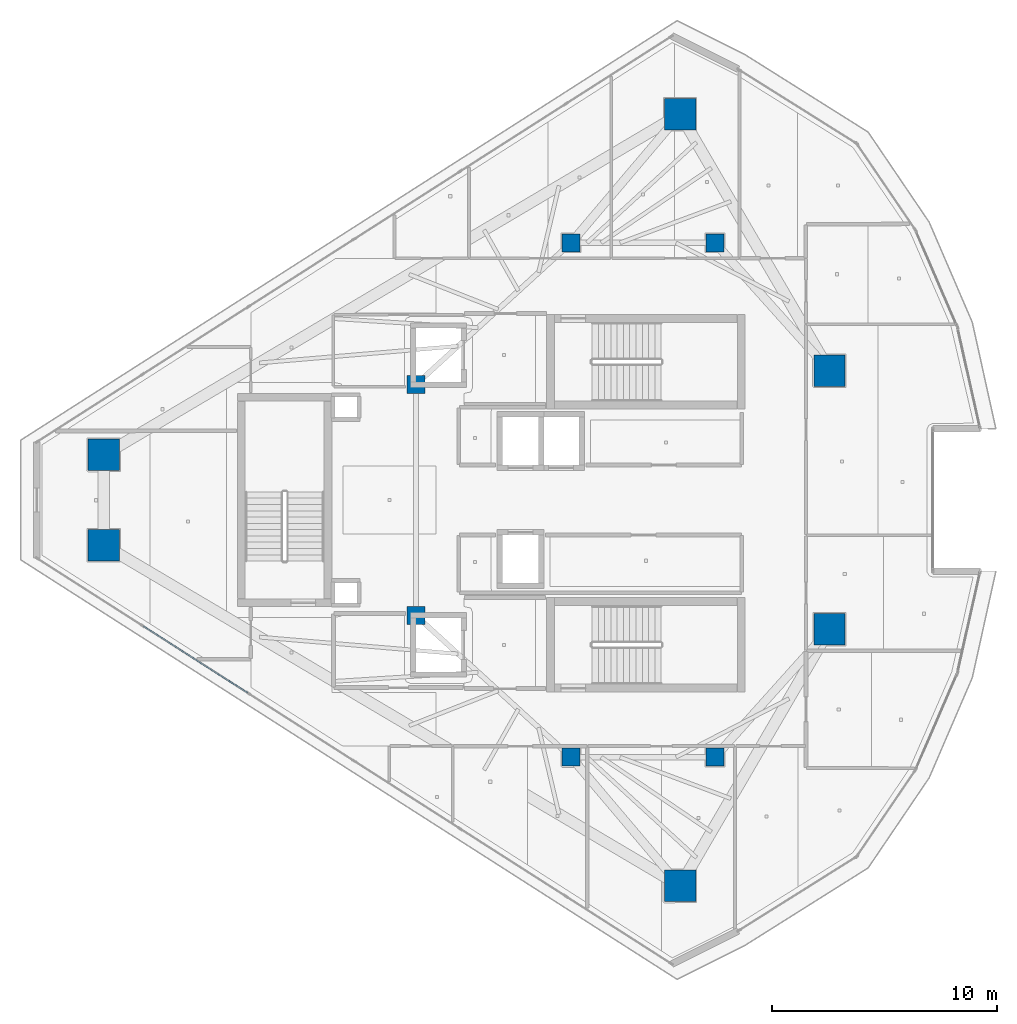
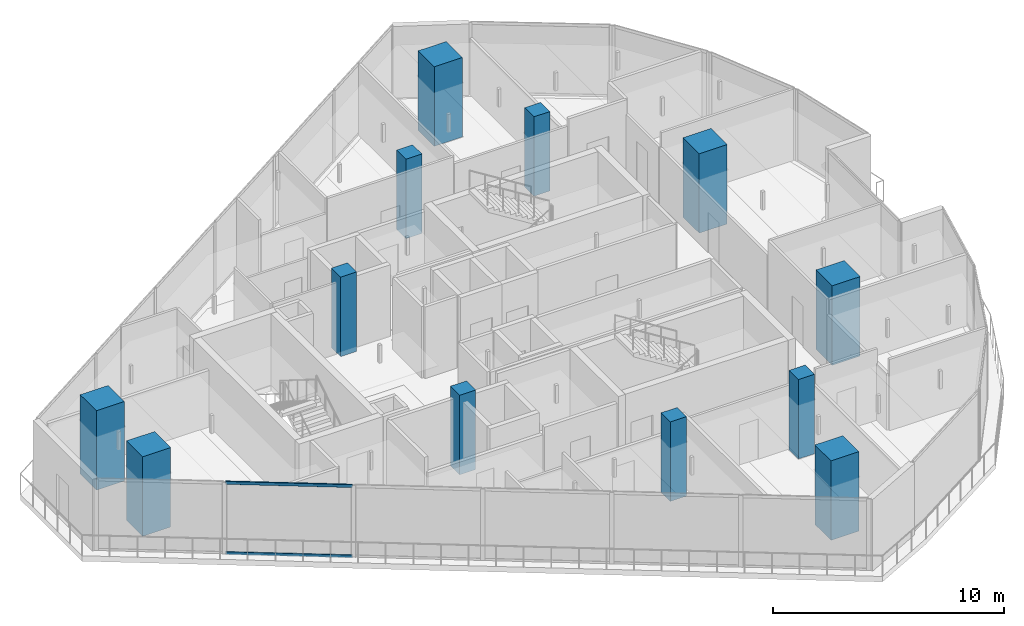
# One storey, part 1 of 26: 12 columns, 2 members, 1 element without a shape of its own.
"""IFC4 building model written with IfcOpenShell, lengths in metres."""

from ifc_helpers import new_model, si_unit, direction, frame, origin, origin_2d, place, context, subcontext, project, spatial, rectangle, hollow_rectangle, extrude, material, layer, layer_set, material_profile, profile_set, type_object, element, aggregate, save


model = new_model("IFC4")

# Units and contexts
model_context = context("Model", 3, precision=1e-05, world=origin(), true_north=direction((0.0, 1.0)))
body_context = subcontext(model_context, "Body", "Model", "MODEL_VIEW")
ifc_project = project(units=[si_unit("LENGTHUNIT", "METRE"), si_unit("AREAUNIT", "SQUARE_METRE"), si_unit("VOLUMEUNIT", "CUBIC_METRE"), si_unit("PLANEANGLEUNIT", "RADIAN"), si_unit("MASSUNIT", "GRAM", prefix="KILO")], contexts=[model_context])

# Site, building, storey
site_placement = place(None, origin())
site = spatial("IfcSite", under=ifc_project, at=site_placement, CompositionType="ELEMENT")
building_placement = place(site_placement, origin())
building = spatial("IfcBuilding", under=site, at=building_placement, Name="Qorvath Tower", CompositionType="ELEMENT")
storey_placement = place(building_placement, frame((0.0, 0.0, 322.800048828125)))
storey = spatial("IfcBuildingStorey", under=building, at=storey_placement, Name="L75", CompositionType="ELEMENT", Elevation=322.800048828125)

# Columns
ifc_material_1 = material(Name="Concrete C50/60", Category="concrete")
ifc_material_profile_1 = material_profile(ifc_material_1, rectangle(XDim=1.39990234375, YDim=1.39990234375, at=origin_2d()), Name="MC 1400x1400")
ifc_profile_set_1 = profile_set([ifc_material_profile_1], Name="Concrete C50/60")
column_type_1 = type_object("IfcColumnType", Name="COL-MC6", PredefinedType="COLUMN", material=ifc_profile_set_1)
for number, where, z_axis, x_axis, name in (
    (1, (-44.402587890625, 2.007568359375, 0.0), (0.0, 0.0, 1.0), (1.0, 0.0, 0.0), "Composite Mega-Column MC1 L75"),
    (2, (-44.402587890625, -2.007568359375, 0.0), (0.0, 0.0, 1.0), (1.0, 0.0, 0.0), "Composite Mega-Column MC2 L75"),
    (3, (-18.75048828125, -17.175537109375, 0.0), (0.0, 0.0, 1.0), (1.0, 0.0, 0.0), "Composite Mega-Column MC3 L75"),
    (4, (-12.0966796875, -5.7578125, 0.0), (0.0, 0.0, 1.0), (1.0, 0.0, 0.0), "Composite Mega-Column MC4 L75"),
    (5, (-12.0966796875, 5.7578125, 0.0), (0.0, 0.0, 1.0), (1.0, 0.0, 0.0), "Composite Mega-Column MC5 L75"),
    (6, (-18.75048828125, 17.175537109375, 0.0), (0.0, 0.0, 1.0), (1.0, 0.0, 0.0), "Composite Mega-Column MC6 L75"),
):
    element("IfcColumn", number, at=place(storey_placement, frame(where, z_axis=z_axis, x_axis=x_axis)), inside=storey, type_object=column_type_1, Name=name, PredefinedType="COLUMN", context=body_context, shape_type="SweptSolid", body=[
        extrude(rectangle(XDim=1.39990234375, YDim=1.39990234375, at=origin_2d()), origin(), (0.0, 0.0, 1.0), 4.199951171875),
    ])
ifc_material_2 = material(Name="Concrete C50/60", Category="concrete")
ifc_material_profile_2 = material_profile(ifc_material_2, rectangle(XDim=0.800048828125, YDim=0.800048828125, at=origin_2d()), Name="RC 800x800")
ifc_profile_set_2 = profile_set([ifc_material_profile_2], Name="Concrete C50/60")
column_type_2 = type_object("IfcColumnType", Name="COL-RC4", PredefinedType="COLUMN", material=ifc_profile_set_2)
for number, where, z_axis, x_axis, name in (
    (7, (-23.60009765625, 11.449951171875, 0.0), (0.0, 0.0, 1.0), (1.0, 0.0, 0.0), "Core Spine Column CC1 L75"),
    (8, (-17.199951171875, 11.449951171875, 0.0), (0.0, 0.0, 1.0), (1.0, 0.0, 0.0), "Core Spine Column CC2 L75"),
    (9, (-17.199951171875, -11.449951171875, 0.0), (0.0, 0.0, 1.0), (1.0, 0.0, 0.0), "Core Spine Column CC3 L75"),
    (10, (-23.60009765625, -11.449951171875, 0.0), (0.0, 0.0, 1.0), (1.0, 0.0, 0.0), "Core Spine Column CC4 L75"),
    (11, (-30.5, 5.14990234375, 0.0), (0.0, 0.0, 1.0), (1.0, 0.0, 0.0), "Core Spine Column CC5 L75"),
    (12, (-30.5, -5.14990234375, 0.0), (0.0, 0.0, 1.0), (1.0, 0.0, 0.0), "Core Spine Column CC6 L75"),
):
    element("IfcColumn", number, at=place(storey_placement, frame(where, z_axis=z_axis, x_axis=x_axis)), inside=storey, type_object=column_type_2, Name=name, PredefinedType="COLUMN", context=body_context, shape_type="SweptSolid", body=[
        extrude(rectangle(XDim=0.800048828125, YDim=0.800048828125, at=origin_2d()), origin(), (0.0, 0.0, 1.0), 4.199951171875),
    ])

# Curtain wall, members
ifc_material_3 = material(Name="Anodised aluminium and triple low-E glass", Category="aluminium")
ifc_layer = layer(ifc_material_3, 0.179931640625)
ifc_layer_set = layer_set([ifc_layer], Name="CW-SYS-4")
curtain_wall_type = type_object("IfcCurtainWallType", Name="CW-SYS-4", PredefinedType="NOTDEFINED", material=ifc_layer_set)
curtain_wall_placement = place(storey_placement, origin())
curtain_wall = element("IfcCurtainWall", 13, at=curtain_wall_placement, inside=storey, type_object=curtain_wall_type, Name="Curtain Wall CW-4 CW-T-L75-2.1", PredefinedType="NOTDEFINED")
ifc_material_4 = material(Name="Anodised aluminium 6063-T6", Category="aluminium")
ifc_material_profile_3 = material_profile(ifc_material_4, hollow_rectangle(XDim=0.06494140625, YDim=0.159912109375, WallThickness=0.00341796875, InnerFilletRadius=0.00341796875, OuterFilletRadius=0.007080078125, at=origin_2d()), Name="CWT 160x65")
ifc_profile_set_3 = profile_set([ifc_material_profile_3], Name="Anodised aluminium 6063-T6")
member_type = type_object("IfcMemberType", Name="CWT-160", PredefinedType="USERDEFINED", material=ifc_profile_set_3)
member_1_placement = place(storey_placement, frame((-42.648681640625, -5.614501953125, 0.032470703125), z_axis=(0.842601463346, -0.538537625397, 0.0), x_axis=(0.538537625397, 0.842601463346, 0.0)))
member_1 = element("IfcMember", 14, at=member_1_placement, type_object=member_type, Name="CW-4 transom 2.1", ObjectType="TRANSOM", PredefinedType="USERDEFINED", context=body_context, shape_type="SweptSolid", body=[
    extrude(hollow_rectangle(XDim=0.06494140625, YDim=0.159912109375, WallThickness=0.00341796875, InnerFilletRadius=0.00341796875, OuterFilletRadius=0.007080078125, at=origin_2d()), origin(), (0.0, 0.0, 1.0), 5.5185546875),
])
member_2_placement = place(storey_placement, frame((-42.648681640625, -5.614501953125, 3.74755859375), z_axis=(0.842601463346, -0.538537625397, 0.0), x_axis=(0.538537625397, 0.842601463346, 0.0)))
member_2 = element("IfcMember", 15, at=member_2_placement, type_object=member_type, Name="CW-4 transom 2.2", ObjectType="TRANSOM", PredefinedType="USERDEFINED", context=body_context, shape_type="SweptSolid", body=[
    extrude(hollow_rectangle(XDim=0.06494140625, YDim=0.159912109375, WallThickness=0.00341796875, InnerFilletRadius=0.00341796875, OuterFilletRadius=0.007080078125, at=origin_2d()), origin(), (0.0, 0.0, 1.0), 5.5185546875),
])
aggregate(curtain_wall, [member_1, member_2])

save(model, "model.ifc")
